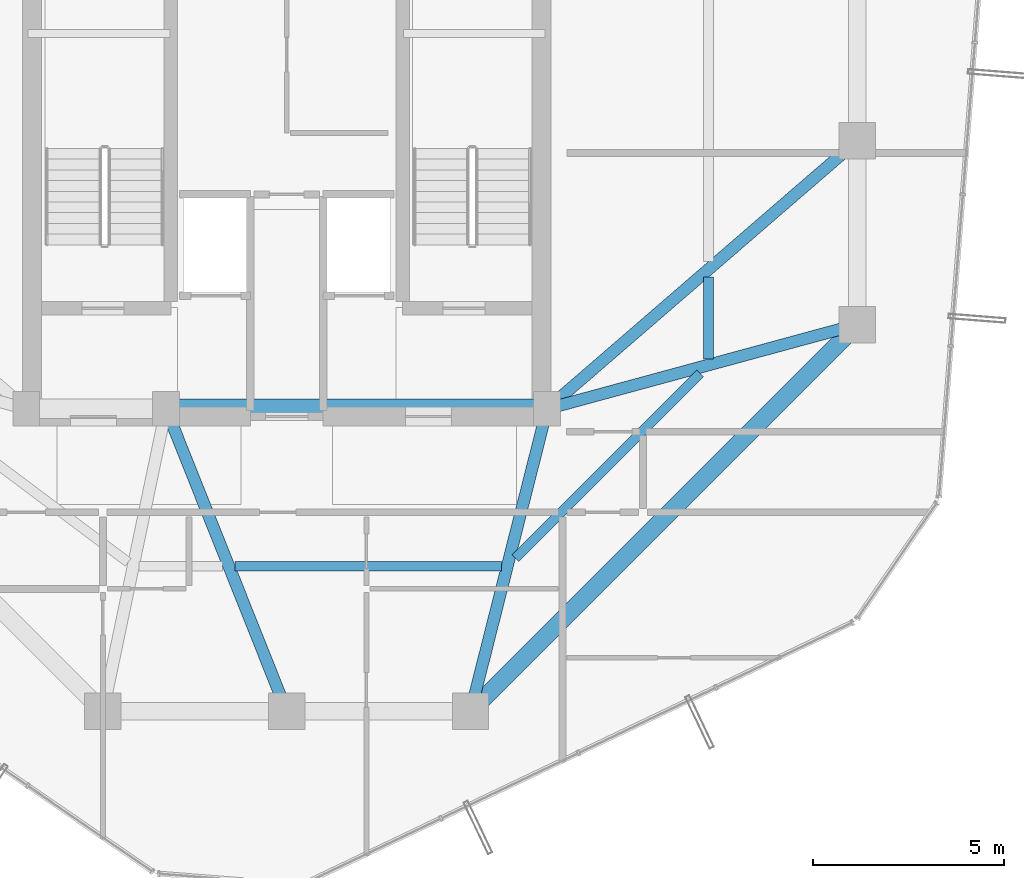
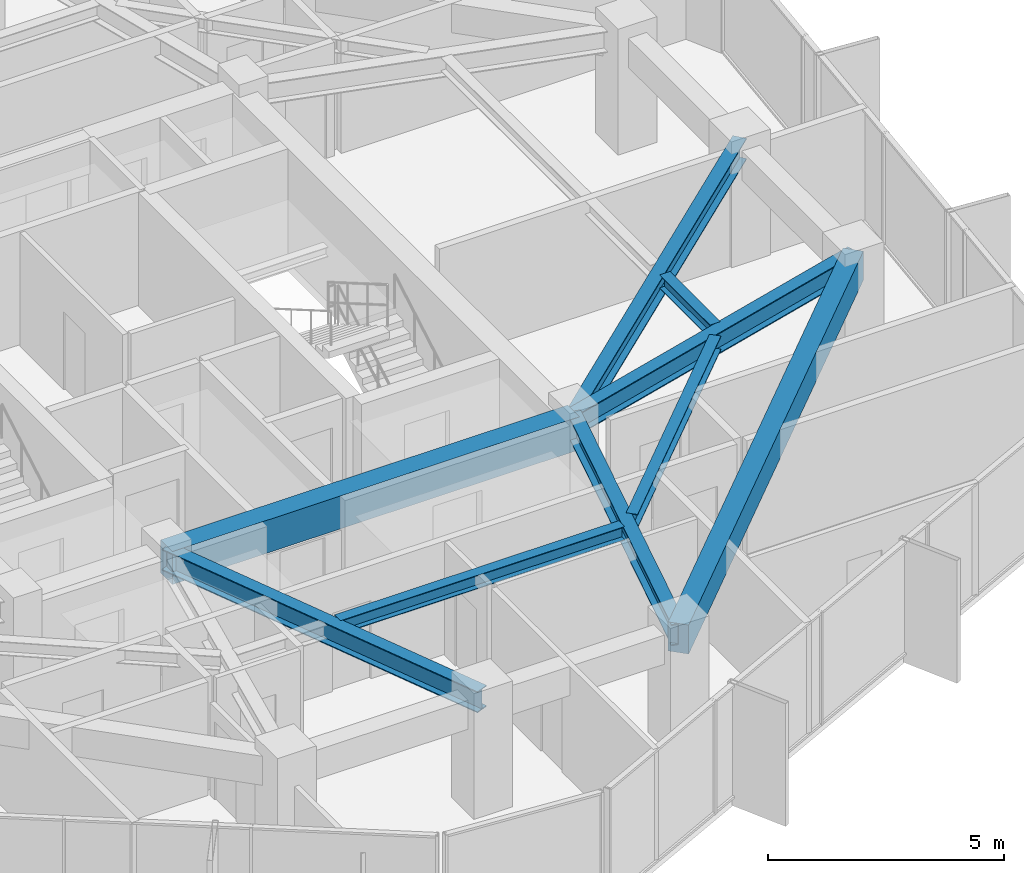
# One storey, part 9 of 29: 9 beams.
"""IFC4 building model written with IfcOpenShell, lengths in metres."""

from ifc_helpers import new_model, si_unit, direction, frame, origin, origin_2d, place, context, subcontext, project, spatial, rectangle, i_section, extrude, material, material_profile, profile_set, type_object, element, save


model = new_model("IFC4")

# Units and contexts
model_context = context("Model", 3, precision=1e-05, world=origin(), true_north=direction((0.0, 1.0)))
body_context = subcontext(model_context, "Body", "Model", "MODEL_VIEW")
ifc_project = project(units=[si_unit("LENGTHUNIT", "METRE"), si_unit("AREAUNIT", "SQUARE_METRE"), si_unit("VOLUMEUNIT", "CUBIC_METRE"), si_unit("PLANEANGLEUNIT", "RADIAN"), si_unit("MASSUNIT", "GRAM", prefix="KILO")], contexts=[model_context])

# Site, building, storey
site_placement = place(None, origin())
site = spatial("IfcSite", under=ifc_project, at=site_placement, CompositionType="ELEMENT")
building_placement = place(site_placement, origin())
building = spatial("IfcBuilding", under=site, at=building_placement, Name="Veraguas Prism Commons", CompositionType="ELEMENT")
storey_placement = place(building_placement, frame((0.0, 0.0, 222.14990234375)))
storey = spatial("IfcBuildingStorey", under=building, at=storey_placement, Name="L63", CompositionType="ELEMENT", Elevation=222.14990234375)

# Beams
ifc_material_1 = material(Name="Concrete C50/60", Category="concrete")
ifc_material_profile_1 = material_profile(ifc_material_1, rectangle(XDim=0.5, YDim=0.85009765625, at=origin_2d()), Name="RC500X850")
ifc_profile_set_1 = profile_set([ifc_material_profile_1], Name="Concrete C50/60")
beam_type_1 = type_object("IfcBeamType", Name="Core Coupling Beam RC 500x850", PredefinedType="BEAM", material=ifc_profile_set_1)
beam_1_placement = place(storey_placement, frame((20.85009765625, 17.0, 2.505126953125), z_axis=(1.0, 0.0, 0.0), x_axis=(0.0, 1.0, 0.0)))
element("IfcBeam", 1, at=beam_1_placement, inside=storey, type_object=beam_type_1, Name="Core Coupling Beam L63-CRS2", PredefinedType="BEAM", context=body_context, shape_type="SweptSolid", body=[
    extrude(rectangle(XDim=0.5, YDim=0.85009765625, at=origin_2d()), origin(), (0.0, 0.0, 1.0), 9.949951171875),
])
ifc_material_profile_2 = material_profile(ifc_material_1, rectangle(XDim=0.449951171875, YDim=0.75, at=origin_2d()), Name="RC450X750")
ifc_profile_set_2 = profile_set([ifc_material_profile_2], Name="Concrete C50/60")
beam_type_2 = type_object("IfcBeamType", Name="Perimeter Spandrel Upper RC 450x750", PredefinedType="SPANDREL", material=ifc_profile_set_2)
beam_2_placement = place(storey_placement, frame((28.800048828125, 9.10009765625, 2.55517578125), z_axis=(0.707106781187, 0.707106781187, 0.0), x_axis=(-0.707106781187, 0.707106781187, 0.0)))
element("IfcBeam", 2, at=beam_2_placement, inside=storey, type_object=beam_type_2, Name="Perimeter Spandrel Beam L63-SP12", PredefinedType="SPANDREL", context=body_context, shape_type="SweptSolid", body=[
    extrude(rectangle(XDim=0.449951171875, YDim=0.75, at=origin_2d()), origin(), (0.0, 0.0, 1.0), 14.283447265625),
])
ifc_material_2 = material(Name="Steel ASTM A992 Grade 50", Category="steel")
ifc_material_profile_3 = material_profile(ifc_material_2, i_section(OverallWidth=0.25390625, OverallDepth=0.35302734375, WebThickness=0.009521484375, FlangeThickness=0.016357421875, at=origin_2d()), Name="W360X91")
ifc_profile_set_3 = profile_set([ifc_material_profile_3], Name="Steel ASTM A992 Grade 50")
beam_type_3 = type_object("IfcBeamType", Name="Upper Floor Joist W360x91", PredefinedType="JOIST", material=ifc_profile_set_3)
beam_3_placement = place(storey_placement, frame((35.011962890625, 18.302978515625, 2.753662109375), z_axis=(0.0, 1.0, 0.0), x_axis=(-1.0, 0.0, 0.0)))
element("IfcBeam", 3, at=beam_3_placement, inside=storey, type_object=beam_type_3, Name="Composite Floor Joist L63-JS01", PredefinedType="JOIST", context=body_context, shape_type="SweptSolid", body=[
    extrude(i_section(OverallWidth=0.25390625, OverallDepth=0.35302734375, WebThickness=0.009521484375, FlangeThickness=0.016357421875, at=origin_2d()), origin(), (0.0, 0.0, 1.0), 2.134033203125),
])
beam_4_placement = place(storey_placement, frame((22.6533203125, 12.89208984375, 2.753662109375), z_axis=(1.0, 0.0, 0.0), x_axis=(0.0, 1.0, 0.0)))
element("IfcBeam", 4, at=beam_4_placement, inside=storey, type_object=beam_type_3, Name="Composite Floor Joist L63-JS11", PredefinedType="JOIST", context=body_context, shape_type="SweptSolid", body=[
    extrude(i_section(OverallWidth=0.25390625, OverallDepth=0.35302734375, WebThickness=0.009521484375, FlangeThickness=0.016357421875, at=origin_2d()), origin(), (0.0, 0.0, 1.0), 6.948486328125),
])
beam_5_placement = place(storey_placement, frame((29.971923828125, 13.10400390625, 2.753662109375), z_axis=(0.707124682851, 0.707088879069, 0.0), x_axis=(-0.707088879069, 0.707124682851, 0.0)))
element("IfcBeam", 5, at=beam_5_placement, inside=storey, type_object=beam_type_3, Name="Composite Floor Joist L63-JS12", PredefinedType="JOIST", context=body_context, shape_type="SweptSolid", body=[
    extrude(i_section(OverallWidth=0.25390625, OverallDepth=0.35302734375, WebThickness=0.009521484375, FlangeThickness=0.016357421875, at=origin_2d()), origin(), (0.0, 0.0, 1.0), 6.81884765625),
])
ifc_material_profile_4 = material_profile(ifc_material_2, i_section(OverallWidth=0.31103515625, OverallDepth=0.5458984375, WebThickness=0.0146484375, FlangeThickness=0.023681640625, at=origin_2d()), Name="W530X165")
ifc_profile_set_4 = profile_set([ifc_material_profile_4], Name="Steel ASTM A992 Grade 50")
beam_type_4 = type_object("IfcBeamType", Name="Zone 3 Radial Girder W530x165", PredefinedType="BEAM", material=ifc_profile_set_4)
beam_6_placement = place(storey_placement, frame((38.89990234375, 19.199951171875, 2.656982421875), z_axis=(-0.965038506703, -0.262108146725, 0.0), x_axis=(0.262108146725, -0.965038506703, 0.0)))
element("IfcBeam", 6, at=beam_6_placement, inside=storey, type_object=beam_type_4, Name="Radial Floor Girder L63-RD01", PredefinedType="BEAM", context=body_context, shape_type="SweptSolid", body=[
    extrude(i_section(OverallWidth=0.31103515625, OverallDepth=0.5458984375, WebThickness=0.0146484375, FlangeThickness=0.023681640625, at=origin_2d()), origin(), (0.0, 0.0, 1.0), 8.393310546875),
])
beam_7_placement = place(storey_placement, frame((38.89990234375, 24.0, 2.656982421875), z_axis=(-0.756607086554, -0.653869800936, 0.0), x_axis=(0.653869800936, -0.756607086554, 0.0)))
element("IfcBeam", 7, at=beam_7_placement, inside=storey, type_object=beam_type_4, Name="Radial Floor Girder L63-RD02", PredefinedType="BEAM", context=body_context, shape_type="SweptSolid", body=[
    extrude(i_section(OverallWidth=0.31103515625, OverallDepth=0.5458984375, WebThickness=0.0146484375, FlangeThickness=0.023681640625, at=origin_2d()), origin(), (0.0, 0.0, 1.0), 10.70556640625),
])
beam_8_placement = place(storey_placement, frame((24.0, 9.10009765625, 2.656982421875), z_axis=(-0.370370877803, 0.928883960931, 0.0), x_axis=(-0.928883960931, -0.370370877803, 0.0)))
element("IfcBeam", 8, at=beam_8_placement, inside=storey, type_object=beam_type_4, Name="Radial Floor Girder L63-RD11", PredefinedType="BEAM", context=body_context, shape_type="SweptSolid", body=[
    extrude(i_section(OverallWidth=0.31103515625, OverallDepth=0.5458984375, WebThickness=0.0146484375, FlangeThickness=0.023681640625, at=origin_2d()), origin(), (0.0, 0.0, 1.0), 8.504638671875),
])
beam_9_placement = place(storey_placement, frame((28.800048828125, 9.10009765625, 2.656982421875), z_axis=(0.245424718066, 0.969415652732, 0.0), x_axis=(-0.969415652732, 0.245424718066, 0.0)))
element("IfcBeam", 9, at=beam_9_placement, inside=storey, type_object=beam_type_4, Name="Radial Floor Girder L63-RD12", PredefinedType="BEAM", context=body_context, shape_type="SweptSolid", body=[
    extrude(i_section(OverallWidth=0.31103515625, OverallDepth=0.5458984375, WebThickness=0.0146484375, FlangeThickness=0.023681640625, at=origin_2d()), origin(), (0.0, 0.0, 1.0), 8.149169921875),
])

save(model, "model.ifc")
